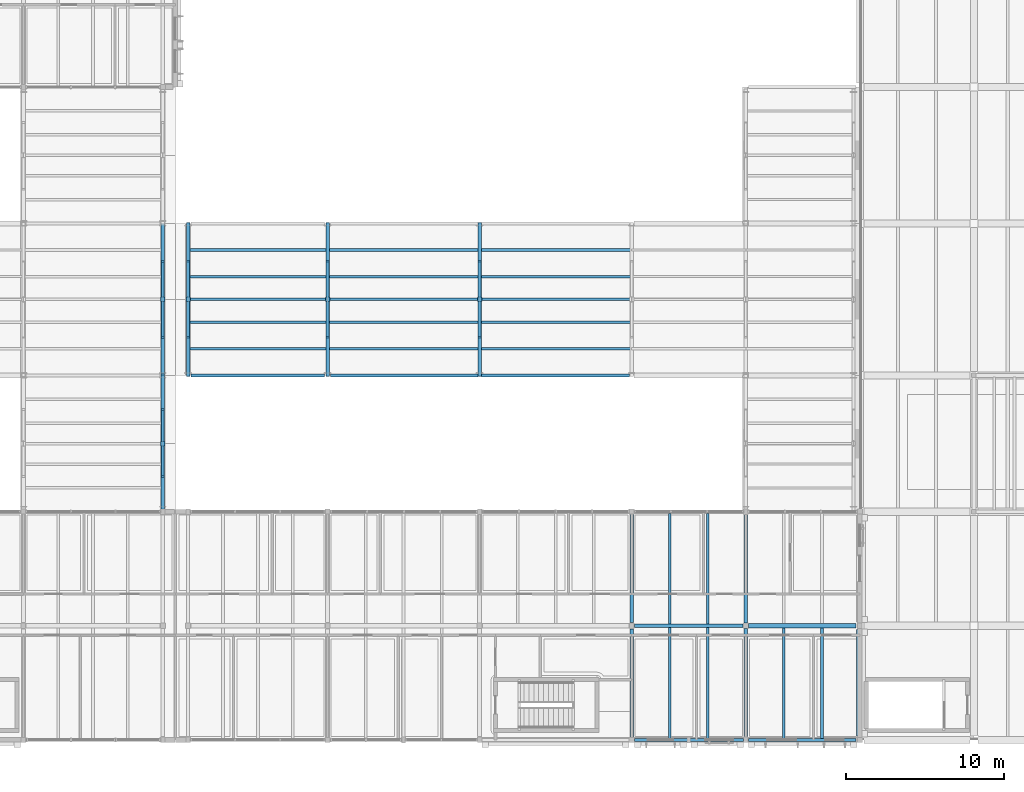
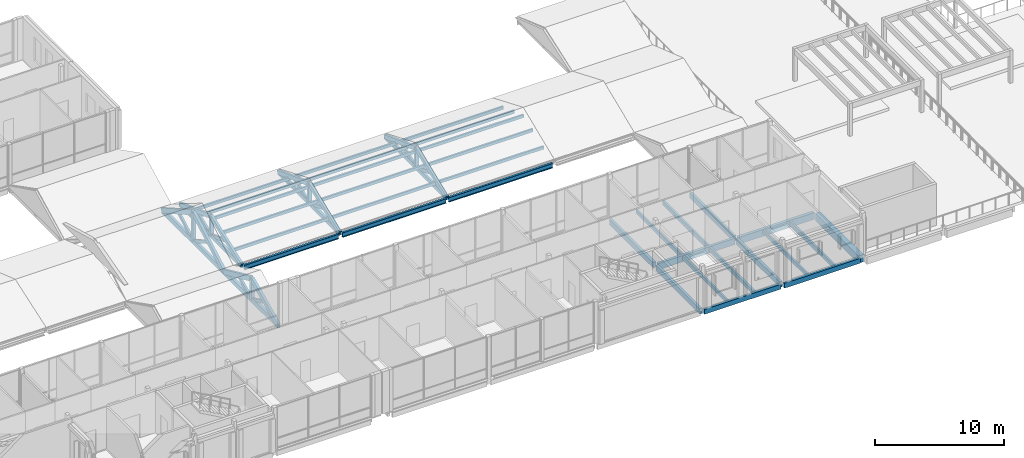
# One storey, part 39 of 115: 45 members, 18 beams.
"""IFC4 building model written with IfcOpenShell, lengths in metres."""

from ifc_helpers import new_model, si_unit, direction, frame, origin, origin_2d, place, context, subcontext, project, spatial, rectangle, i_section, extrude, material, material_profile, profile_set, type_object, element, save


model = new_model("IFC4")

# Units and contexts
model_context = context("Model", 3, precision=1e-05, world=origin(), true_north=direction((0.0, 1.0)))
body_context = subcontext(model_context, "Body", "Model", "MODEL_VIEW")
ifc_project = project(units=[si_unit("LENGTHUNIT", "METRE"), si_unit("AREAUNIT", "SQUARE_METRE"), si_unit("VOLUMEUNIT", "CUBIC_METRE"), si_unit("PLANEANGLEUNIT", "RADIAN"), si_unit("MASSUNIT", "GRAM", prefix="KILO")], contexts=[model_context])

# Site, building, storey
site_placement = place(None, origin())
site = spatial("IfcSite", under=ifc_project, at=site_placement, CompositionType="ELEMENT")
building_placement = place(site_placement, origin())
building = spatial("IfcBuilding", under=site, at=building_placement, Name="Hawrajan Terrace Health Centre", CompositionType="ELEMENT")
storey_placement = place(building_placement, frame((0.0, 0.0, 9.0)))
storey = spatial("IfcBuildingStorey", under=building, at=storey_placement, Name="L02", CompositionType="ELEMENT", Elevation=9.0)

# Beams
ifc_material_1 = material(Name="Glulam GL32h", Category="wood")
ifc_material_profile_1 = material_profile(ifc_material_1, rectangle(XDim=0.239990234375, YDim=0.52001953125, at=origin_2d()), Name="GL BM 240x520")
ifc_profile_set_1 = profile_set([ifc_material_profile_1], Name="Glulam GL32h")
beam_type_1 = type_object("IfcBeamType", Name="GlulamGirder_240x520", PredefinedType="BEAM", material=ifc_profile_set_1)
beam_1_placement = place(storey_placement, frame((100.60009765625, 4.3798828125, -0.5), z_axis=(0.0, 1.0, 0.0), x_axis=(-1.0, 0.0, 0.0)))
element("IfcBeam", 1, at=beam_1_placement, inside=storey, type_object=beam_type_1, Name="Beam BM-Y-L02-C-X13-1", PredefinedType="BEAM", context=body_context, shape_type="SweptSolid", body=[
    extrude(rectangle(XDim=0.239990234375, YDim=0.52001953125, at=origin_2d()), origin(), (0.0, 0.0, 1.0), 6.81005859375),
])
beam_2_placement = place(storey_placement, frame((100.60009765625, 11.610107421875, -0.5), z_axis=(0.0, 1.0, 0.0), x_axis=(-1.0, 0.0, 0.0)))
element("IfcBeam", 2, at=beam_2_placement, inside=storey, type_object=beam_type_1, Name="Beam BM-Y-L02-C-X13-2", PredefinedType="BEAM", context=body_context, shape_type="SweptSolid", body=[
    extrude(rectangle(XDim=0.239990234375, YDim=0.52001953125, at=origin_2d()), origin(), (0.0, 0.0, 1.0), 6.809814453125),
])
beam_3_placement = place(storey_placement, frame((107.800048828125, 4.409912109375, -0.5), z_axis=(0.0, 1.0, 0.0), x_axis=(-1.0, 0.0, 0.0)))
element("IfcBeam", 3, at=beam_3_placement, inside=storey, type_object=beam_type_1, Name="Beam BM-Y-L02-C-X14-1", PredefinedType="BEAM", context=body_context, shape_type="SweptSolid", body=[
    extrude(rectangle(XDim=0.239990234375, YDim=0.52001953125, at=origin_2d()), origin(), (0.0, 0.0, 1.0), 6.81005859375),
])
beam_4_placement = place(storey_placement, frame((107.800048828125, 11.580078125, -0.5), z_axis=(0.0, 1.0, 0.0), x_axis=(-1.0, 0.0, 0.0)))
element("IfcBeam", 4, at=beam_4_placement, inside=storey, type_object=beam_type_1, Name="Beam BM-Y-L02-C-X14-2", PredefinedType="BEAM", context=body_context, shape_type="SweptSolid", body=[
    extrude(rectangle(XDim=0.239990234375, YDim=0.52001953125, at=origin_2d()), origin(), (0.0, 0.0, 1.0), 6.809814453125),
])
ifc_material_profile_2 = material_profile(ifc_material_1, rectangle(XDim=0.239990234375, YDim=0.60009765625, at=origin_2d()), Name="GL BM 240x600")
ifc_profile_set_2 = profile_set([ifc_material_profile_2], Name="Glulam GL32h")
beam_type_2 = type_object("IfcBeamType", Name="GlulamGirder_240x600", PredefinedType="BEAM", material=ifc_profile_set_2)
beam_5_placement = place(storey_placement, frame((100.760009765625, 11.39990234375, -0.5400390625), z_axis=(1.0, 0.0, 0.0), x_axis=(0.0, 1.0, 0.0)))
element("IfcBeam", 5, at=beam_5_placement, inside=storey, type_object=beam_type_2, Name="Beam BM-X-L02-C-13-Y2", PredefinedType="BEAM", context=body_context, shape_type="SweptSolid", body=[
    extrude(rectangle(XDim=0.239990234375, YDim=0.60009765625, at=origin_2d()), origin(), (0.0, 0.0, 1.0), 6.860107421875),
])
ifc_material_profile_3 = material_profile(ifc_material_1, rectangle(XDim=0.280029296875, YDim=0.639892578125, at=origin_2d()), Name="GL BM 280x640")
ifc_profile_set_3 = profile_set([ifc_material_profile_3], Name="Glulam GL32h")
beam_type_3 = type_object("IfcBeamType", Name="GlulamGirder_280x640", PredefinedType="BEAM", material=ifc_profile_set_3)
beam_6_placement = place(storey_placement, frame((107.97998046875, 11.39990234375, -0.60009765625), z_axis=(1.0, 0.0, 0.0), x_axis=(0.0, 1.0, 0.0)))
element("IfcBeam", 6, at=beam_6_placement, inside=storey, type_object=beam_type_3, Name="Beam BM-X-L02-C-14-Y2", PredefinedType="BEAM", context=body_context, shape_type="SweptSolid", body=[
    extrude(rectangle(XDim=0.280029296875, YDim=0.639892578125, at=origin_2d()), origin(), (0.0, 0.0, 1.0), 6.77001953125),
])
ifc_material_2 = material(Name="Glulam GL28h", Category="wood")
ifc_material_profile_4 = material_profile(ifc_material_2, rectangle(XDim=0.159912109375, YDim=0.360107421875, at=origin_2d()), Name="GL JST 160x360")
ifc_profile_set_4 = profile_set([ifc_material_profile_4], Name="Glulam GL28h")
beam_type_4 = type_object("IfcBeamType", Name="GlulamJoist_160x360", PredefinedType="JOIST", material=ifc_profile_set_4)
for number, where, z_axis, x_axis, name in (
    (7, (103.0, 4.300048828125, -0.419921875), (0.0, 1.0, 0.0), (-1.0, 0.0, 0.0), "Secondary joist JST-L02-C-13-1-1"),
    (8, (103.0, 11.52001953125, -0.419921875), (0.0, 1.0, 0.0), (-1.0, 0.0, 0.0), "Secondary joist JST-L02-C-13-2-1"),
):
    element("IfcBeam", number, at=place(storey_placement, frame(where, z_axis=z_axis, x_axis=x_axis)), inside=storey, type_object=beam_type_4, Name=name, PredefinedType="JOIST", context=body_context, shape_type="SweptSolid", body=[
        extrude(rectangle(XDim=0.159912109375, YDim=0.360107421875, at=origin_2d()), origin(), (0.0, 0.0, 1.0), 6.97998046875),
    ])
beam_7_placement = place(storey_placement, frame((110.199951171875, 4.300048828125, -0.4599609375), z_axis=(0.0, 1.0, 0.0), x_axis=(-1.0, 0.0, 0.0)))
element("IfcBeam", 9, at=beam_7_placement, inside=storey, type_object=beam_type_4, Name="Secondary joist JST-L02-C-14-1-1", PredefinedType="JOIST", context=body_context, shape_type="SweptSolid", body=[
    extrude(rectangle(XDim=0.159912109375, YDim=0.360107421875, at=origin_2d()), origin(), (0.0, 0.0, 1.0), 6.9599609375),
])
ifc_material_profile_5 = material_profile(ifc_material_2, rectangle(XDim=0.179931640625, YDim=0.39990234375, at=origin_2d()), Name="GL JST 180x400")
ifc_profile_set_5 = profile_set([ifc_material_profile_5], Name="Glulam GL28h")
beam_type_5 = type_object("IfcBeamType", Name="GlulamJoist_180x400", PredefinedType="JOIST", material=ifc_profile_set_5)
for number, where, z_axis, x_axis, name in (
    (10, (105.39990234375, 4.300048828125, -0.43994140625), (0.0, 1.0, 0.0), (-1.0, 0.0, 0.0), "Secondary joist JST-L02-C-13-1-2"),
    (11, (105.39990234375, 11.52001953125, -0.43994140625), (0.0, 1.0, 0.0), (-1.0, 0.0, 0.0), "Secondary joist JST-L02-C-13-2-2"),
):
    element("IfcBeam", number, at=place(storey_placement, frame(where, z_axis=z_axis, x_axis=x_axis)), inside=storey, type_object=beam_type_5, Name=name, PredefinedType="JOIST", context=body_context, shape_type="SweptSolid", body=[
        extrude(rectangle(XDim=0.179931640625, YDim=0.39990234375, at=origin_2d()), origin(), (0.0, 0.0, 1.0), 6.97998046875),
    ])
beam_8_placement = place(storey_placement, frame((112.60009765625, 4.300048828125, -0.47998046875), z_axis=(0.0, 1.0, 0.0), x_axis=(-1.0, 0.0, 0.0)))
element("IfcBeam", 12, at=beam_8_placement, inside=storey, type_object=beam_type_5, Name="Secondary joist JST-L02-C-14-1-2", PredefinedType="JOIST", context=body_context, shape_type="SweptSolid", body=[
    extrude(rectangle(XDim=0.179931640625, YDim=0.39990234375, at=origin_2d()), origin(), (0.0, 0.0, 1.0), 6.9599609375),
])
ifc_material_profile_6 = material_profile(ifc_material_1, rectangle(XDim=0.199951171875, YDim=0.4599609375, at=origin_2d()), Name="GL SP 200x460")
ifc_profile_set_6 = profile_set([ifc_material_profile_6], Name="Glulam GL32h")
beam_type_6 = type_object("IfcBeamType", Name="GlulamSpandrel_200x460", PredefinedType="SPANDREL", material=ifc_profile_set_6)
beam_9_placement = place(storey_placement, frame((100.780029296875, 4.199951171875, -0.469970703125), z_axis=(1.0, 0.0, 0.0), x_axis=(0.0, 1.0, 0.0)))
element("IfcBeam", 13, at=beam_9_placement, inside=storey, type_object=beam_type_6, Name="Beam BM-X-L02-C-13-Y1", PredefinedType="SPANDREL", context=body_context, shape_type="SweptSolid", body=[
    extrude(rectangle(XDim=0.199951171875, YDim=0.4599609375, at=origin_2d()), origin(), (0.0, 0.0, 1.0), 6.85986328125),
])
beam_10_placement = place(storey_placement, frame((107.9599609375, 4.199951171875, -0.510009765625), z_axis=(1.0, 0.0, 0.0), x_axis=(0.0, 1.0, 0.0)))
element("IfcBeam", 14, at=beam_10_placement, inside=storey, type_object=beam_type_6, Name="Beam BM-X-L02-C-14-Y1", PredefinedType="SPANDREL", context=body_context, shape_type="SweptSolid", body=[
    extrude(rectangle(XDim=0.199951171875, YDim=0.4599609375, at=origin_2d()), origin(), (0.0, 0.0, 1.0), 6.7900390625),
])
ifc_material_3 = material(Name="Concrete C40/50", Category="concrete")
ifc_material_profile_7 = material_profile(ifc_material_3, rectangle(XDim=0.449951171875, YDim=0.699951171875, at=origin_2d()), Name="RC BM 450x700")
ifc_profile_set_7 = profile_set([ifc_material_profile_7], Name="Concrete C40/50")
beam_type_7 = type_object("IfcBeamType", Name="RCGirder_450x700", PredefinedType="BEAM", material=ifc_profile_set_7)
beam_11_placement = place(storey_placement, frame((115.0, 4.449951171875, -0.6298828125), z_axis=(0.0, 1.0, 0.0), x_axis=(-1.0, 0.0, 0.0)))
element("IfcBeam", 15, at=beam_11_placement, inside=storey, type_object=beam_type_7, Name="Beam BM-Y-L02-C-X15-1", PredefinedType="BEAM", context=body_context, shape_type="SweptSolid", body=[
    extrude(rectangle(XDim=0.449951171875, YDim=0.699951171875, at=origin_2d()), origin(), (0.0, 0.0, 1.0), 6.699951171875),
])

# Members
ifc_material_profile_8 = material_profile(ifc_material_2, rectangle(XDim=0.159912109375, YDim=0.280029296875, at=origin_2d()), Name="GL PUR 160x280")
ifc_profile_set_8 = profile_set([ifc_material_profile_8], Name="Glulam GL28h")
member_type_1 = type_object("IfcMemberType", Name="RoofPurlin_160x280", PredefinedType="PURLIN", material=ifc_profile_set_8)
for number, where, z_axis, x_axis, name in (
    (16, (72.60009765625, 28.8798828125, 0.189697265625), (1.0, 0.0, 0.0), (0.0, 1.0, 0.0), "Tent roof purlin 10-TRM-S1"),
    (17, (72.60009765625, 35.1201171875, 0.189697265625), (1.0, 0.0, 0.0), (0.0, 1.0, 0.0), "Tent roof purlin 10-TRM-N1"),
    (18, (72.60009765625, 30.56005859375, 0.8193359375), (1.0, 0.0, 0.0), (0.0, 1.0, 0.0), "Tent roof purlin 10-TRM-S2"),
    (19, (72.60009765625, 33.43994140625, 0.8193359375), (1.0, 0.0, 0.0), (0.0, 1.0, 0.0), "Tent roof purlin 10-TRM-N2"),
    (20, (72.60009765625, 32.0, 1.29931640625), (1.0, 0.0, 0.0), (0.0, 1.0, 0.0), "Tent ridge purlin 10-TRM"),
):
    element("IfcMember", number, at=place(storey_placement, frame(where, z_axis=z_axis, x_axis=x_axis)), inside=storey, type_object=member_type_1, Name=name, PredefinedType="PURLIN", context=body_context, shape_type="SweptSolid", body=[
        extrude(rectangle(XDim=0.159912109375, YDim=0.280029296875, at=origin_2d()), origin(), (0.0, 0.0, 1.0), 8.7998046875),
    ])
for number, where, z_axis, x_axis, name in (
    (21, (81.39990234375, 28.8798828125, 0.189697265625), (1.0, 0.0, 0.0), (0.0, 1.0, 0.0), "Tent roof purlin 11-TRM-S1"),
    (22, (81.39990234375, 35.1201171875, 0.189697265625), (1.0, 0.0, 0.0), (0.0, 1.0, 0.0), "Tent roof purlin 11-TRM-N1"),
    (23, (81.39990234375, 30.56005859375, 0.8193359375), (1.0, 0.0, 0.0), (0.0, 1.0, 0.0), "Tent roof purlin 11-TRM-S2"),
    (24, (81.39990234375, 33.43994140625, 0.8193359375), (1.0, 0.0, 0.0), (0.0, 1.0, 0.0), "Tent roof purlin 11-TRM-N2"),
    (25, (81.39990234375, 32.0, 1.29931640625), (1.0, 0.0, 0.0), (0.0, 1.0, 0.0), "Tent ridge purlin 11-TRM"),
    (26, (91.0, 28.8798828125, 0.189697265625), (1.0, 0.0, 0.0), (0.0, 1.0, 0.0), "Tent roof purlin 12-TRM-S1"),
    (27, (91.0, 35.1201171875, 0.189697265625), (1.0, 0.0, 0.0), (0.0, 1.0, 0.0), "Tent roof purlin 12-TRM-N1"),
    (28, (91.0, 30.56005859375, 0.8193359375), (1.0, 0.0, 0.0), (0.0, 1.0, 0.0), "Tent roof purlin 12-TRM-S2"),
    (29, (91.0, 33.43994140625, 0.8193359375), (1.0, 0.0, 0.0), (0.0, 1.0, 0.0), "Tent roof purlin 12-TRM-N2"),
    (30, (91.0, 32.0, 1.29931640625), (1.0, 0.0, 0.0), (0.0, 1.0, 0.0), "Tent ridge purlin 12-TRM"),
):
    element("IfcMember", number, at=place(storey_placement, frame(where, z_axis=z_axis, x_axis=x_axis)), inside=storey, type_object=member_type_1, Name=name, PredefinedType="PURLIN", context=body_context, shape_type="SweptSolid", body=[
        extrude(rectangle(XDim=0.159912109375, YDim=0.280029296875, at=origin_2d()), origin(), (0.0, 0.0, 1.0), 9.60009765625),
    ])

# Beams
ifc_material_4 = material(Name="Steel S355", Category="steel")
ifc_material_profile_9 = material_profile(ifc_material_4, i_section(OverallWidth=0.18994140625, OverallDepth=0.449951171875, WebThickness=0.009521484375, FlangeThickness=0.0146484375, FilletRadius=0.02099609375, at=origin_2d()), Name="IPE 450")
ifc_profile_set_9 = profile_set([ifc_material_profile_9], Name="Steel S355")
beam_type_8 = type_object("IfcBeamType", Name="SteelBeam_IPE450", PredefinedType="BEAM", material=ifc_profile_set_9)
beam_12_placement = place(storey_placement, frame((72.780029296875, 27.199951171875, -0.425048828125), z_axis=(1.0, 0.0, 0.0), x_axis=(0.0, 1.0, 0.0)))
element("IfcBeam", 31, at=beam_12_placement, inside=storey, type_object=beam_type_8, Name="Beam BM-X-L02-C-10-Y4", PredefinedType="BEAM", context=body_context, shape_type="SweptSolid", body=[
    extrude(i_section(OverallWidth=0.18994140625, OverallDepth=0.449951171875, WebThickness=0.009521484375, FlangeThickness=0.0146484375, FilletRadius=0.02099609375, at=origin_2d()), origin(), (0.0, 0.0, 1.0), 8.43994140625),
])
beam_13_placement = place(storey_placement, frame((81.580078125, 27.199951171875, -0.425048828125), z_axis=(1.0, 0.0, 0.0), x_axis=(0.0, 1.0, 0.0)))
element("IfcBeam", 32, at=beam_13_placement, inside=storey, type_object=beam_type_8, Name="Beam BM-X-L02-C-11-Y4", PredefinedType="BEAM", context=body_context, shape_type="SweptSolid", body=[
    extrude(i_section(OverallWidth=0.18994140625, OverallDepth=0.449951171875, WebThickness=0.009521484375, FlangeThickness=0.0146484375, FilletRadius=0.02099609375, at=origin_2d()), origin(), (0.0, 0.0, 1.0), 9.310302734375),
])
beam_14_placement = place(storey_placement, frame((91.109619140625, 27.199951171875, -0.425048828125), z_axis=(1.0, 0.0, 0.0), x_axis=(0.0, 1.0, 0.0)))
element("IfcBeam", 33, at=beam_14_placement, inside=storey, type_object=beam_type_8, Name="Beam BM-X-L02-C-12-Y4", PredefinedType="BEAM", context=body_context, shape_type="SweptSolid", body=[
    extrude(i_section(OverallWidth=0.18994140625, OverallDepth=0.449951171875, WebThickness=0.009521484375, FlangeThickness=0.0146484375, FilletRadius=0.02099609375, at=origin_2d()), origin(), (0.0, 0.0, 1.0), 9.34033203125),
])

# Members
ifc_material_profile_10 = material_profile(ifc_material_1, rectangle(XDim=0.219970703125, YDim=0.3798828125, at=origin_2d()), Name="GL CHD 220x380")
ifc_profile_set_10 = profile_set([ifc_material_profile_10], Name="Glulam GL32h")
member_type_2 = type_object("IfcMemberType", Name="TrussChord_220x380", PredefinedType="CHORD", material=ifc_profile_set_10)
member_1_placement = place(storey_placement, frame((72.60009765625, 27.199951171875, -0.219970703125), z_axis=(0.0, 1.0, 0.0), x_axis=(-1.0, 0.0, 0.0)))
element("IfcMember", 34, at=member_1_placement, inside=storey, type_object=member_type_2, Name="Glulam truss tie chord C-G10-TRM", PredefinedType="CHORD", context=body_context, shape_type="SweptSolid", body=[
    extrude(rectangle(XDim=0.219970703125, YDim=0.3798828125, at=origin_2d()), origin(), (0.0, 0.0, 1.0), 9.60009765625),
])
for number, where, z_axis, x_axis, name in (
    (35, (72.60009765625, 27.199951171875, -0.219970703125), (0.0, 0.936389838784, 0.350961635827), (-1.0, 0.0, 0.0), "Glulam truss south top chord C-G10-TRM"),
    (36, (72.60009765625, 32.0, 1.5791015625), (0.0, 0.936389838784, -0.350961635827), (-1.0, 0.0, 0.0), "Glulam truss north top chord C-G10-TRM"),
):
    element("IfcMember", number, at=place(storey_placement, frame(where, z_axis=z_axis, x_axis=x_axis)), inside=storey, type_object=member_type_2, Name=name, PredefinedType="CHORD", context=body_context, shape_type="SweptSolid", body=[
        extrude(rectangle(XDim=0.219970703125, YDim=0.3798828125, at=origin_2d()), origin(), (0.0, 0.0, 1.0), 5.126220703125),
    ])
member_2_placement = place(storey_placement, frame((81.39990234375, 27.199951171875, -0.219970703125), z_axis=(0.0, 1.0, 0.0), x_axis=(-1.0, 0.0, 0.0)))
element("IfcMember", 37, at=member_2_placement, inside=storey, type_object=member_type_2, Name="Glulam truss tie chord C-G11-TRM", PredefinedType="CHORD", context=body_context, shape_type="SweptSolid", body=[
    extrude(rectangle(XDim=0.219970703125, YDim=0.3798828125, at=origin_2d()), origin(), (0.0, 0.0, 1.0), 9.60009765625),
])
for number, where, z_axis, x_axis, name in (
    (38, (81.39990234375, 27.199951171875, -0.219970703125), (0.0, 0.936389838784, 0.350961635827), (-1.0, 0.0, 0.0), "Glulam truss south top chord C-G11-TRM"),
    (39, (81.39990234375, 32.0, 1.5791015625), (0.0, 0.936389838784, -0.350961635827), (-1.0, 0.0, 0.0), "Glulam truss north top chord C-G11-TRM"),
):
    element("IfcMember", number, at=place(storey_placement, frame(where, z_axis=z_axis, x_axis=x_axis)), inside=storey, type_object=member_type_2, Name=name, PredefinedType="CHORD", context=body_context, shape_type="SweptSolid", body=[
        extrude(rectangle(XDim=0.219970703125, YDim=0.3798828125, at=origin_2d()), origin(), (0.0, 0.0, 1.0), 5.126220703125),
    ])
member_3_placement = place(storey_placement, frame((91.0, 27.199951171875, -0.219970703125), z_axis=(0.0, 1.0, 0.0), x_axis=(-1.0, 0.0, 0.0)))
element("IfcMember", 40, at=member_3_placement, inside=storey, type_object=member_type_2, Name="Glulam truss tie chord C-G12-TRM", PredefinedType="CHORD", context=body_context, shape_type="SweptSolid", body=[
    extrude(rectangle(XDim=0.219970703125, YDim=0.3798828125, at=origin_2d()), origin(), (0.0, 0.0, 1.0), 9.60009765625),
])
for number, where, z_axis, x_axis, name in (
    (41, (91.0, 27.199951171875, -0.219970703125), (0.0, 0.936389838784, 0.350961635827), (-1.0, 0.0, 0.0), "Glulam truss south top chord C-G12-TRM"),
    (42, (91.0, 32.0, 1.5791015625), (0.0, 0.936389838784, -0.350961635827), (-1.0, 0.0, 0.0), "Glulam truss north top chord C-G12-TRM"),
):
    element("IfcMember", number, at=place(storey_placement, frame(where, z_axis=z_axis, x_axis=x_axis)), inside=storey, type_object=member_type_2, Name=name, PredefinedType="CHORD", context=body_context, shape_type="SweptSolid", body=[
        extrude(rectangle(XDim=0.219970703125, YDim=0.3798828125, at=origin_2d()), origin(), (0.0, 0.0, 1.0), 5.126220703125),
    ])
ifc_material_profile_11 = material_profile(ifc_material_1, rectangle(XDim=0.239990234375, YDim=0.43994140625, at=origin_2d()), Name="GL CHD 240x440")
ifc_profile_set_11 = profile_set([ifc_material_profile_11], Name="Glulam GL32h")
member_type_3 = type_object("IfcMemberType", Name="TrussChord_240x440", PredefinedType="CHORD", material=ifc_profile_set_11)
member_4_placement = place(storey_placement, frame((71.0, 18.760009765625, -0.219970703125), z_axis=(0.0, 1.0, 0.0), x_axis=(-1.0, 0.0, 0.0)))
element("IfcMember", 43, at=member_4_placement, inside=storey, type_object=member_type_3, Name="Glulam truss tie chord W-G10-TRL-SC", PredefinedType="CHORD", context=body_context, shape_type="SweptSolid", body=[
    extrude(rectangle(XDim=0.239990234375, YDim=0.43994140625, at=origin_2d()), origin(), (0.0, 0.0, 1.0), 8.43994140625),
])
member_5_placement = place(storey_placement, frame((71.0, 18.760009765625, -0.219970703125), z_axis=(0.0, 0.904916640753, 0.425588854751), x_axis=(-1.0, 0.0, 0.0)))
element("IfcMember", 44, at=member_5_placement, inside=storey, type_object=member_type_3, Name="Glulam truss south top chord W-G10-TRL-SC", PredefinedType="CHORD", context=body_context, shape_type="SweptSolid", body=[
    extrude(rectangle(XDim=0.239990234375, YDim=0.43994140625, at=origin_2d()), origin(), (0.0, 0.0, 1.0), 4.574951171875),
])
member_6_placement = place(storey_placement, frame((71.0, 22.89990234375, 1.72705078125), z_axis=(0.0, 0.910967747983, -0.412477589858), x_axis=(-1.0, 0.0, 0.0)))
element("IfcMember", 45, at=member_6_placement, inside=storey, type_object=member_type_3, Name="Glulam truss north top chord W-G10-TRL-SC", PredefinedType="CHORD", context=body_context, shape_type="SweptSolid", body=[
    extrude(rectangle(XDim=0.239990234375, YDim=0.43994140625, at=origin_2d()), origin(), (0.0, 0.0, 1.0), 4.72021484375),
])
member_7_placement = place(storey_placement, frame((71.0, 27.199951171875, -0.219970703125), z_axis=(0.0, 1.0, 0.0), x_axis=(-1.0, 0.0, 0.0)))
element("IfcMember", 46, at=member_7_placement, inside=storey, type_object=member_type_3, Name="Glulam truss tie chord W-G10-TRL-M", PredefinedType="CHORD", context=body_context, shape_type="SweptSolid", body=[
    extrude(rectangle(XDim=0.239990234375, YDim=0.43994140625, at=origin_2d()), origin(), (0.0, 0.0, 1.0), 9.60009765625),
])
for number, where, z_axis, x_axis, name in (
    (47, (71.0, 27.199951171875, -0.219970703125), (0.0, 0.869381007916, 0.494142351023), (-1.0, 0.0, 0.0), "Glulam truss south top chord W-G10-TRL-M"),
    (48, (71.0, 32.0, 2.50830078125), (0.0, 0.869381007916, -0.494142351023), (-1.0, 0.0, 0.0), "Glulam truss north top chord W-G10-TRL-M"),
):
    element("IfcMember", number, at=place(storey_placement, frame(where, z_axis=z_axis, x_axis=x_axis)), inside=storey, type_object=member_type_3, Name=name, PredefinedType="CHORD", context=body_context, shape_type="SweptSolid", body=[
        extrude(rectangle(XDim=0.239990234375, YDim=0.43994140625, at=origin_2d()), origin(), (0.0, 0.0, 1.0), 5.521240234375),
    ])
ifc_material_profile_12 = material_profile(ifc_material_2, rectangle(XDim=0.280029296875, YDim=0.280029296875, at=origin_2d()), Name="GL KP 280x280")
ifc_profile_set_12 = profile_set([ifc_material_profile_12], Name="Glulam GL28h")
member_type_4 = type_object("IfcMemberType", Name="TrussKingPost_280x280", PredefinedType="STRUT", material=ifc_profile_set_12)
member_8_placement = place(storey_placement, frame((71.0, 22.89990234375, -0.219970703125), z_axis=(0.0, 0.0, 1.0), x_axis=(1.0, 0.0, 0.0)))
element("IfcMember", 49, at=member_8_placement, inside=storey, type_object=member_type_4, Name="Glulam truss king post W-G10-TRL-SC", PredefinedType="STRUT", context=body_context, shape_type="SweptSolid", body=[
    extrude(rectangle(XDim=0.280029296875, YDim=0.280029296875, at=origin_2d()), origin(), (0.0, 0.0, 1.0), 1.947021484375),
])
member_9_placement = place(storey_placement, frame((71.0, 32.0, -0.219970703125), z_axis=(0.0, 0.0, 1.0), x_axis=(1.0, 0.0, 0.0)))
element("IfcMember", 50, at=member_9_placement, inside=storey, type_object=member_type_4, Name="Glulam truss king post W-G10-TRL-M", PredefinedType="STRUT", context=body_context, shape_type="SweptSolid", body=[
    extrude(rectangle(XDim=0.280029296875, YDim=0.280029296875, at=origin_2d()), origin(), (0.0, 0.0, 1.0), 2.728271484375),
])
for number, where, z_axis, x_axis, name in (
    (51, (72.60009765625, 32.0, -0.219970703125), (0.0, 0.0, 1.0), (1.0, 0.0, 0.0), "Glulam truss king post C-G10-TRM"),
    (52, (81.39990234375, 32.0, -0.219970703125), (0.0, 0.0, 1.0), (1.0, 0.0, 0.0), "Glulam truss king post C-G11-TRM"),
    (53, (91.0, 32.0, -0.219970703125), (0.0, 0.0, 1.0), (1.0, 0.0, 0.0), "Glulam truss king post C-G12-TRM"),
):
    element("IfcMember", number, at=place(storey_placement, frame(where, z_axis=z_axis, x_axis=x_axis)), inside=storey, type_object=member_type_4, Name=name, PredefinedType="STRUT", context=body_context, shape_type="SweptSolid", body=[
        extrude(rectangle(XDim=0.280029296875, YDim=0.280029296875, at=origin_2d()), origin(), (0.0, 0.0, 1.0), 1.799072265625),
    ])
ifc_material_profile_13 = material_profile(ifc_material_2, rectangle(XDim=0.179931640625, YDim=0.280029296875, at=origin_2d()), Name="GL WEB 180x280")
ifc_profile_set_13 = profile_set([ifc_material_profile_13], Name="Glulam GL28h")
member_type_5 = type_object("IfcMemberType", Name="TrussStrut_180x280", PredefinedType="STRUT", material=ifc_profile_set_13)
member_10_placement = place(storey_placement, frame((71.0, 22.89990234375, -0.219970703125), z_axis=(0.0, -0.904927527583, 0.425565705647), x_axis=(1.0, 0.0, 0.0)))
element("IfcMember", 54, at=member_10_placement, inside=storey, type_object=member_type_5, Name="Glulam truss web strut S W-G10-TRL-SC", PredefinedType="STRUT", context=body_context, shape_type="SweptSolid", body=[
    extrude(rectangle(XDim=0.179931640625, YDim=0.280029296875, at=origin_2d()), origin(), (0.0, 0.0, 1.0), 2.287353515625),
])
member_11_placement = place(storey_placement, frame((71.0, 22.89990234375, -0.219970703125), z_axis=(0.0, 0.910995979356, 0.412415234438), x_axis=(-1.0, 0.0, 0.0)))
element("IfcMember", 55, at=member_11_placement, inside=storey, type_object=member_type_5, Name="Glulam truss web strut N W-G10-TRL-SC", PredefinedType="STRUT", context=body_context, shape_type="SweptSolid", body=[
    extrude(rectangle(XDim=0.179931640625, YDim=0.280029296875, at=origin_2d()), origin(), (0.0, 0.0, 1.0), 2.360107421875),
])
for number, where, z_axis, x_axis, name in (
    (56, (71.0, 32.0, -0.219970703125), (0.0, -0.869389207353, 0.494127924871), (1.0, 0.0, 0.0), "Glulam truss web strut S W-G10-TRL-M"),
    (57, (71.0, 32.0, -0.219970703125), (0.0, 0.869389207353, 0.494127924871), (-1.0, 0.0, 0.0), "Glulam truss web strut N W-G10-TRL-M"),
):
    element("IfcMember", number, at=place(storey_placement, frame(where, z_axis=z_axis, x_axis=x_axis)), inside=storey, type_object=member_type_5, Name=name, PredefinedType="STRUT", context=body_context, shape_type="SweptSolid", body=[
        extrude(rectangle(XDim=0.179931640625, YDim=0.280029296875, at=origin_2d()), origin(), (0.0, 0.0, 1.0), 2.760498046875),
    ])
for number, where, z_axis, x_axis, name in (
    (58, (72.60009765625, 32.0, -0.219970703125), (0.0, -0.936368318128, 0.351019049064), (1.0, 0.0, 0.0), "Glulam truss web strut S C-G10-TRM"),
    (59, (72.60009765625, 32.0, -0.219970703125), (0.0, 0.936368318128, 0.351019049064), (-1.0, 0.0, 0.0), "Glulam truss web strut N C-G10-TRM"),
    (60, (81.39990234375, 32.0, -0.219970703125), (0.0, -0.936368318128, 0.351019049064), (1.0, 0.0, 0.0), "Glulam truss web strut S C-G11-TRM"),
    (61, (81.39990234375, 32.0, -0.219970703125), (0.0, 0.936368318128, 0.351019049064), (-1.0, 0.0, 0.0), "Glulam truss web strut N C-G11-TRM"),
    (62, (91.0, 32.0, -0.219970703125), (0.0, -0.936368318128, 0.351019049064), (1.0, 0.0, 0.0), "Glulam truss web strut S C-G12-TRM"),
    (63, (91.0, 32.0, -0.219970703125), (0.0, 0.936368318128, 0.351019049064), (-1.0, 0.0, 0.0), "Glulam truss web strut N C-G12-TRM"),
):
    element("IfcMember", number, at=place(storey_placement, frame(where, z_axis=z_axis, x_axis=x_axis)), inside=storey, type_object=member_type_5, Name=name, PredefinedType="STRUT", context=body_context, shape_type="SweptSolid", body=[
        extrude(rectangle(XDim=0.179931640625, YDim=0.280029296875, at=origin_2d()), origin(), (0.0, 0.0, 1.0), 2.56298828125),
    ])

save(model, "model.ifc")
